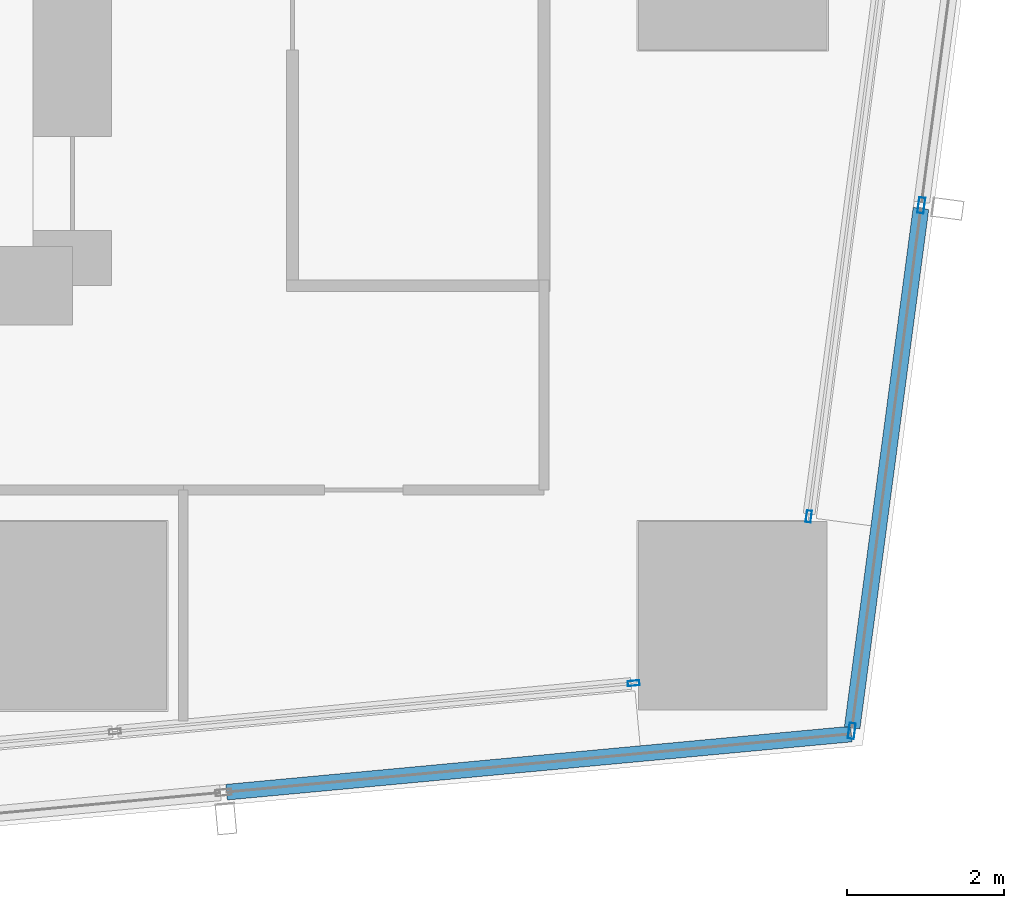
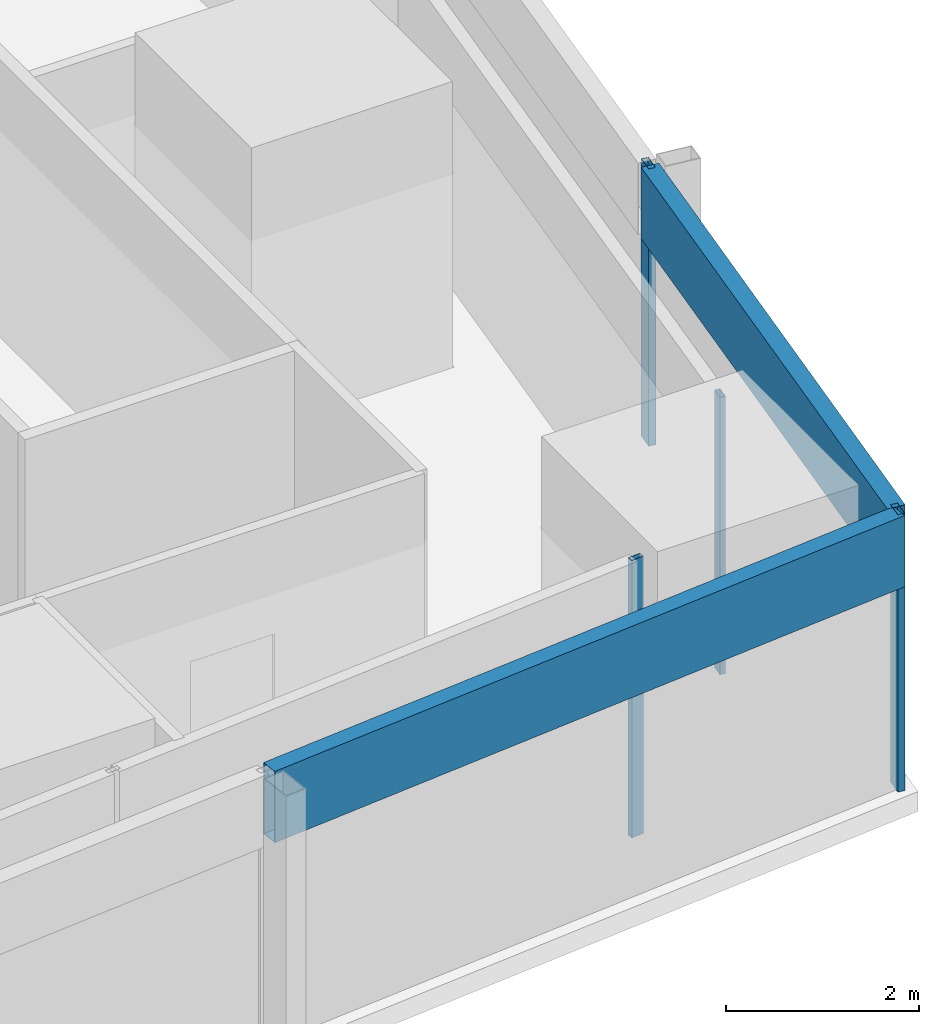
# One storey, part 10 of 37: 6 members, 4 elements without a shape of their own.
"""IFC4 building model written with IfcOpenShell, lengths in metres."""

from ifc_helpers import new_model, si_unit, direction, frame, origin, origin_2d, place, context, subcontext, project, spatial, hollow_rectangle, extrude, material, material_profile, profile_set, type_object, element, aggregate, save


model = new_model("IFC4")

# Units and contexts
model_context = context("Model", 3, precision=1e-05, world=origin(), true_north=direction((0.0, 1.0)))
body_context = subcontext(model_context, "Body", "Model", "MODEL_VIEW")
ifc_project = project(units=[si_unit("LENGTHUNIT", "METRE"), si_unit("AREAUNIT", "SQUARE_METRE"), si_unit("VOLUMEUNIT", "CUBIC_METRE"), si_unit("PLANEANGLEUNIT", "RADIAN"), si_unit("MASSUNIT", "GRAM", prefix="KILO")], contexts=[model_context])

# Site, building, storey
site_placement = place(None, origin())
site = spatial("IfcSite", under=ifc_project, at=site_placement, CompositionType="ELEMENT")
building_placement = place(site_placement, origin())
building = spatial("IfcBuilding", under=site, at=building_placement, Name="Rekha Terrace Tower", CompositionType="ELEMENT")
storey_placement = place(building_placement, frame((0.0, 0.0, 228.949951171875)))
storey = spatial("IfcBuildingStorey", under=building, at=storey_placement, Name="L58", CompositionType="ELEMENT", Elevation=228.949951171875)

# Curtain wall, member
ifc_material_1 = material(Name="Aluminium framing", Category="aluminium")
curtain_wall_type_1 = type_object("IfcCurtainWallType", Name="CW1 double skin inner glazing", PredefinedType="USERDEFINED", material=ifc_material_1)
curtain_wall_1_placement = place(storey_placement, origin())
curtain_wall_1 = element("IfcCurtainWall", 1, at=curtain_wall_1_placement, inside=storey, type_object=curtain_wall_type_1, Name="CW1 double skin inner glazing", ObjectType="DOUBLE SKIN INNER GLAZING", PredefinedType="USERDEFINED")
ifc_material_2 = material(Name="Aluminium mullion section", Category="aluminium")
ifc_material_profile_1 = material_profile(ifc_material_2, hollow_rectangle(XDim=0.06494140625, YDim=0.14990234375, WallThickness=0.00390625, at=origin_2d()), Name="AL RHS 65x150")
ifc_profile_set_1 = profile_set([ifc_material_profile_1], Name="Aluminium mullion section")
member_type_1 = type_object("IfcMemberType", Name="CW1 mullion RHS 65 x 150", PredefinedType="MULLION", material=ifc_profile_set_1)
member_1_placement = place(storey_placement, frame((57.538818359375, 15.943603515625, 0.0), z_axis=(0.0, 0.0, 1.0), x_axis=(-0.092708869546, 0.995693258744, 0.0)))
member_1 = element("IfcMember", 2, at=member_1_placement, type_object=member_type_1, Name="CW1 mullion 3", PredefinedType="MULLION", context=body_context, shape_type="SweptSolid", body=[
    extrude(hollow_rectangle(XDim=0.06494140625, YDim=0.14990234375, WallThickness=0.00390625, at=origin_2d()), origin(), (0.0, 0.0, 1.0), 3.5),
])
aggregate(curtain_wall_1, [member_1])

curtain_wall_2_placement = place(storey_placement, origin())
curtain_wall_2 = element("IfcCurtainWall", 3, at=curtain_wall_2_placement, inside=storey, type_object=curtain_wall_type_1, Name="CW1 double skin inner glazing", ObjectType="DOUBLE SKIN INNER GLAZING", PredefinedType="USERDEFINED")
member_2_placement = place(storey_placement, frame((59.766845703125, 18.064453125, 0.0), z_axis=(0.0, 0.0, 1.0), x_axis=(-0.991342203191, 0.131303603041, 0.0)))
member_2 = element("IfcMember", 4, at=member_2_placement, type_object=member_type_1, Name="CW1 mullion 1", PredefinedType="MULLION", context=body_context, shape_type="SweptSolid", body=[
    extrude(hollow_rectangle(XDim=0.06494140625, YDim=0.14990234375, WallThickness=0.00390625, at=origin_2d()), origin(), (0.0, 0.0, 1.0), 3.5),
])
aggregate(curtain_wall_2, [member_2])

# Curtain wall, members
curtain_wall_type_2 = type_object("IfcCurtainWallType", Name="CW2 double skin outer glazing", PredefinedType="USERDEFINED", material=ifc_material_1)
curtain_wall_3_placement = place(storey_placement, origin())
curtain_wall_3 = element("IfcCurtainWall", 5, at=curtain_wall_3_placement, inside=storey, type_object=curtain_wall_type_2, Name="CW2 double skin outer glazing", ObjectType="DOUBLE SKIN OUTER GLAZING", PredefinedType="USERDEFINED")
ifc_material_profile_2 = material_profile(ifc_material_2, hollow_rectangle(XDim=0.080078125, YDim=0.199951171875, WallThickness=0.00390625, at=origin_2d()), Name="AL RHS 80x200")
ifc_profile_set_2 = profile_set([ifc_material_profile_2], Name="Aluminium mullion section")
member_type_2 = type_object("IfcMemberType", Name="CW2 mullion RHS 80 x 200", PredefinedType="MULLION", material=ifc_profile_set_2)
member_3_placement = place(storey_placement, frame((60.3134765625, 15.337158203125, 0.0), z_axis=(0.0, 0.0, 1.0), x_axis=(-0.991342203187, 0.131303603075, 0.0)))
member_3 = element("IfcMember", 6, at=member_3_placement, type_object=member_type_2, Name="CW2 mullion 1", PredefinedType="MULLION", context=body_context, shape_type="SweptSolid", body=[
    extrude(hollow_rectangle(XDim=0.080078125, YDim=0.199951171875, WallThickness=0.00390625, at=origin_2d()), origin(), (0.0, 0.0, 1.0), 3.5),
])
member_4_placement = place(storey_placement, frame((61.19873046875, 22.021728515625, 0.0), z_axis=(0.0, 0.0, 1.0), x_axis=(-0.991342203187, 0.131303603075, 0.0)))
member_4 = element("IfcMember", 7, at=member_4_placement, type_object=member_type_2, Name="CW2 mullion 2", PredefinedType="MULLION", context=body_context, shape_type="SweptSolid", body=[
    extrude(hollow_rectangle(XDim=0.080078125, YDim=0.199951171875, WallThickness=0.00390625, at=origin_2d()), origin(), (0.0, 0.0, 1.0), 3.5),
])

# Curtain wall, member
curtain_wall_4_placement = place(storey_placement, origin())
curtain_wall_4 = element("IfcCurtainWall", 8, at=curtain_wall_4_placement, inside=storey, type_object=curtain_wall_type_2, Name="CW2 double skin outer glazing", ObjectType="DOUBLE SKIN OUTER GLAZING", PredefinedType="USERDEFINED")
ifc_material_3 = material(Name="Insulated aluminium spandrel box", Category="aluminium")
ifc_material_profile_3 = material_profile(ifc_material_3, hollow_rectangle(XDim=0.199951171875, YDim=0.89990234375, WallThickness=0.0029296875, at=origin_2d()), Name="AL SPANDREL BOX 200x900")
ifc_profile_set_3 = profile_set([ifc_material_profile_3], Name="Insulated aluminium spandrel box")
member_type_3 = type_object("IfcMemberType", Name="CW2 spandrel transom 200 x 900", PredefinedType="USERDEFINED", material=ifc_profile_set_3)
member_5_placement = place(storey_placement, frame((52.36181640625, 14.5576171875, 3.050048828125), z_axis=(0.99569478362, 0.092692490917, 0.0), x_axis=(-0.092692490917, 0.99569478362, 0.0)))
member_5 = element("IfcMember", 9, at=member_5_placement, type_object=member_type_3, Name="CW2 spandrel transom 2", ObjectType="TRANSOM", PredefinedType="USERDEFINED", context=body_context, shape_type="SweptSolid", body=[
    extrude(hollow_rectangle(XDim=0.199951171875, YDim=0.89990234375, WallThickness=0.0029296875, at=origin_2d()), origin(), (0.0, 0.0, 1.0), 7.980712890625),
])
aggregate(curtain_wall_4, [member_5])

# Member
member_6_placement = place(storey_placement, frame((60.318603515625, 15.376708984375, 3.050048828125), z_axis=(0.131318864981, 0.991340181623, 0.0), x_axis=(-0.991340181623, 0.131318864981, 0.0)))
member_6 = element("IfcMember", 10, at=member_6_placement, type_object=member_type_3, Name="CW2 spandrel transom 1", ObjectType="TRANSOM", PredefinedType="USERDEFINED", context=body_context, shape_type="SweptSolid", body=[
    extrude(hollow_rectangle(XDim=0.199951171875, YDim=0.89990234375, WallThickness=0.0029296875, at=origin_2d()), origin(), (0.0, 0.0, 1.0), 6.6630859375),
])

aggregate(curtain_wall_3, [member_3, member_4, member_6])

save(model, "model.ifc")
